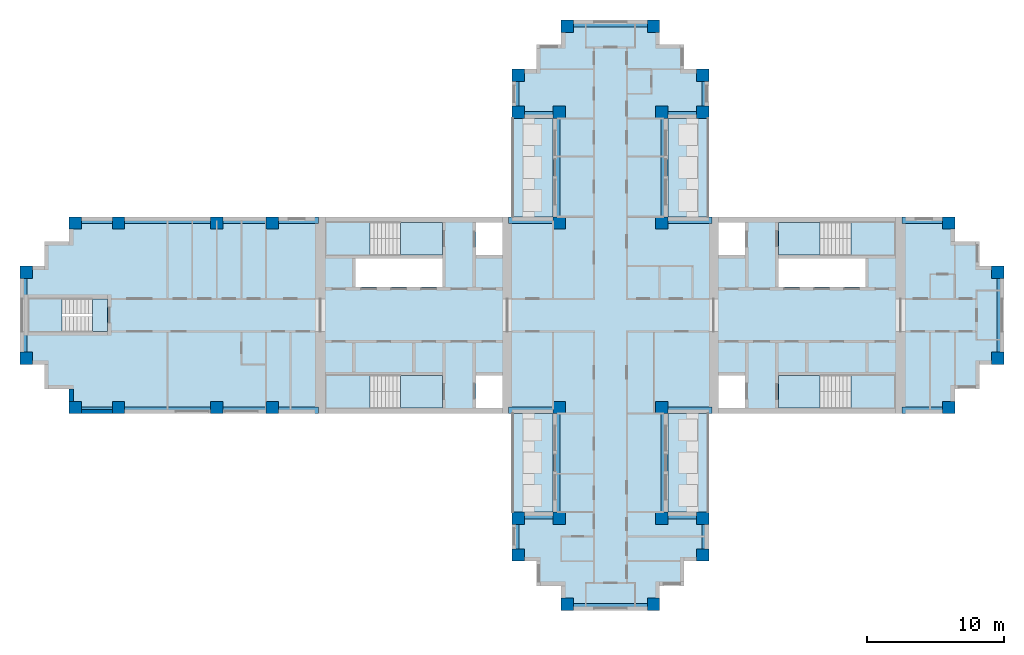
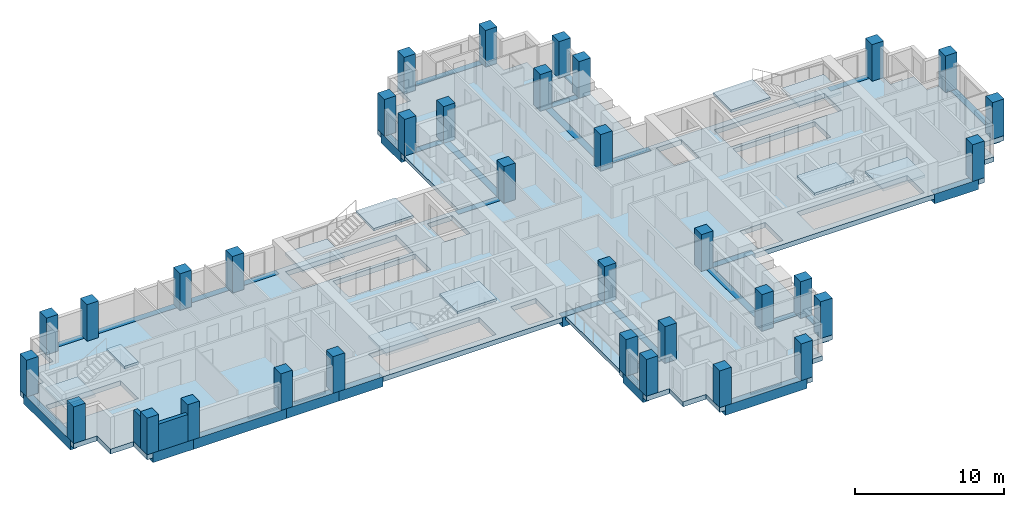
# One storey, part 1 of 10: 34 columns, 30 beams, 15 slabs, 2 walls, 5 elements without a shape of their own.
"""IFC4 building model written with IfcOpenShell, lengths in metres."""

from ifc_helpers import new_model, si_unit, direction, frame, frame_2d, origin, origin_2d, place, context, subcontext, project, spatial, polyline, rectangle, outline, extrude, material, layer, layer_set, material_profile, profile_set, type_object, element, aggregate, save


model = new_model("IFC4")

# Units and contexts
model_context = context("Model", 3, precision=1e-05, world=origin(), true_north=direction((0.0, 1.0)))
body_context = subcontext(model_context, "Body", "Model", "MODEL_VIEW")
ifc_project = project(units=[si_unit("LENGTHUNIT", "METRE"), si_unit("AREAUNIT", "SQUARE_METRE"), si_unit("VOLUMEUNIT", "CUBIC_METRE"), si_unit("PLANEANGLEUNIT", "RADIAN"), si_unit("MASSUNIT", "GRAM", prefix="KILO")], contexts=[model_context])

# Site, building, storey
site_placement = place(None, origin())
site = spatial("IfcSite", under=ifc_project, at=site_placement, CompositionType="ELEMENT")
building_placement = place(site_placement, origin())
building = spatial("IfcBuilding", under=site, at=building_placement, Name="Fustian Cross Tower", CompositionType="ELEMENT")
storey_placement = place(building_placement, frame((0.0, 0.0, 185.699951171875)))
storey = spatial("IfcBuildingStorey", under=building, at=storey_placement, Name="L58", CompositionType="ELEMENT", Elevation=185.699951171875)

# Columns
ifc_material_1 = material(Name="Concrete C40/50", Category="concrete")
ifc_material_profile_1 = material_profile(ifc_material_1, rectangle(XDim=0.89990234375, YDim=0.89990234375, at=origin_2d()), Name="RC 900x900")
ifc_profile_set_1 = profile_set([ifc_material_profile_1], Name="Concrete C40/50")
column_type = type_object("IfcColumnType", Name="COLUMN RC 900x900 C40/50", PredefinedType="COLUMN", material=ifc_profile_set_1)
for number, where, z_axis, x_axis, name in (
    (1, (-42.75, -3.14990234375, 0.0), (0.0, 0.0, 1.0), (1.0, 0.0, 0.0), "COLUMN 001"),
    (2, (-42.75, 3.14990234375, 0.0), (0.0, 0.0, 1.0), (1.0, 0.0, 0.0), "COLUMN 002"),
    (3, (-39.14990234375, -6.75, 0.0), (0.0, 0.0, 1.0), (1.0, 0.0, 0.0), "COLUMN 003"),
    (4, (-39.14990234375, 6.75, 0.0), (0.0, 0.0, 1.0), (1.0, 0.0, 0.0), "COLUMN 004"),
    (5, (-36.0, -6.75, 0.0), (0.0, 0.0, 1.0), (1.0, 0.0, 0.0), "COLUMN 005"),
    (6, (-36.0, 6.75, 0.0), (0.0, 0.0, 1.0), (1.0, 0.0, 0.0), "COLUMN 006"),
    (7, (-28.800048828125, -6.75, 0.0), (0.0, 0.0, 1.0), (1.0, 0.0, 0.0), "COLUMN 007"),
    (8, (-28.800048828125, 6.75, 0.0), (0.0, 0.0, 1.0), (1.0, 0.0, 0.0), "COLUMN 010"),
    (9, (-24.75, -6.75, 0.0), (0.0, 0.0, 1.0), (1.0, 0.0, 0.0), "COLUMN 011"),
    (10, (-24.75, 6.75, 0.0), (0.0, 0.0, 1.0), (1.0, 0.0, 0.0), "COLUMN 012"),
    (11, (-6.75, -17.550048828125, 0.0), (0.0, 0.0, 1.0), (1.0, 0.0, 0.0), "COLUMN 017"),
    (12, (-6.75, -14.85009765625, 0.0), (0.0, 0.0, 1.0), (1.0, 0.0, 0.0), "COLUMN 018"),
    (13, (-6.75, 14.85009765625, 0.0), (0.0, 0.0, 1.0), (1.0, 0.0, 0.0), "COLUMN 019"),
    (14, (-6.75, 17.550048828125, 0.0), (0.0, 0.0, 1.0), (1.0, 0.0, 0.0), "COLUMN 020"),
    (15, (-3.75, -14.85009765625, 0.0), (0.0, 0.0, 1.0), (1.0, 0.0, 0.0), "COLUMN 025"),
    (16, (-3.75, -6.75, 0.0), (0.0, 0.0, 1.0), (1.0, 0.0, 0.0), "COLUMN 026"),
    (17, (-3.75, 6.75, 0.0), (0.0, 0.0, 1.0), (1.0, 0.0, 0.0), "COLUMN 027"),
    (18, (-3.75, 14.85009765625, 0.0), (0.0, 0.0, 1.0), (1.0, 0.0, 0.0), "COLUMN 028"),
    (19, (-3.14990234375, -21.14990234375, 0.0), (0.0, 0.0, 1.0), (1.0, 0.0, 0.0), "COLUMN 030"),
    (20, (-3.14990234375, 21.14990234375, 0.0), (0.0, 0.0, 1.0), (1.0, 0.0, 0.0), "COLUMN 031"),
    (21, (3.14990234375, -21.14990234375, 0.0), (0.0, 0.0, 1.0), (1.0, 0.0, 0.0), "COLUMN 034"),
    (22, (3.14990234375, 21.14990234375, 0.0), (0.0, 0.0, 1.0), (1.0, 0.0, 0.0), "COLUMN 035"),
    (23, (3.75, -14.85009765625, 0.0), (0.0, 0.0, 1.0), (1.0, 0.0, 0.0), "COLUMN 037"),
    (24, (3.75, -6.75, 0.0), (0.0, 0.0, 1.0), (1.0, 0.0, 0.0), "COLUMN 038"),
    (25, (3.75, 6.75, 0.0), (0.0, 0.0, 1.0), (1.0, 0.0, 0.0), "COLUMN 039"),
    (26, (3.75, 14.85009765625, 0.0), (0.0, 0.0, 1.0), (1.0, 0.0, 0.0), "COLUMN 040"),
    (27, (6.75, -17.550048828125, 0.0), (0.0, 0.0, 1.0), (1.0, 0.0, 0.0), "COLUMN 045"),
    (28, (6.75, -14.85009765625, 0.0), (0.0, 0.0, 1.0), (1.0, 0.0, 0.0), "COLUMN 046"),
    (29, (6.75, 14.85009765625, 0.0), (0.0, 0.0, 1.0), (1.0, 0.0, 0.0), "COLUMN 047"),
    (30, (6.75, 17.550048828125, 0.0), (0.0, 0.0, 1.0), (1.0, 0.0, 0.0), "COLUMN 048"),
    (31, (24.75, -6.75, 0.0), (0.0, 0.0, 1.0), (1.0, 0.0, 0.0), "COLUMN 053"),
    (32, (24.75, 6.75, 0.0), (0.0, 0.0, 1.0), (1.0, 0.0, 0.0), "COLUMN 054"),
    (33, (28.35009765625, -3.14990234375, 0.0), (0.0, 0.0, 1.0), (1.0, 0.0, 0.0), "COLUMN 056"),
    (34, (28.35009765625, 3.14990234375, 0.0), (0.0, 0.0, 1.0), (1.0, 0.0, 0.0), "COLUMN 057"),
):
    element("IfcColumn", number, at=place(storey_placement, frame(where, z_axis=z_axis, x_axis=x_axis)), inside=storey, type_object=column_type, Name=name, PredefinedType="COLUMN", context=body_context, shape_type="SweptSolid", body=[
        extrude(rectangle(XDim=0.89990234375, YDim=0.89990234375, at=origin_2d()), origin(), (0.0, 0.0, 1.0), 3.0),
    ])

# Beams
ifc_material_2 = material(Name="Concrete C50/60", Category="concrete")
ifc_material_profile_2 = material_profile(ifc_material_2, rectangle(XDim=0.5, YDim=0.800048828125, at=origin_2d()), Name="RC 500x800")
ifc_profile_set_2 = profile_set([ifc_material_profile_2], Name="Concrete C50/60")
beam_type = type_object("IfcBeamType", Name="EDGE BEAM RC 500x800 C50/60", PredefinedType="SPANDREL", material=ifc_profile_set_2)
beam_1_placement = place(storey_placement, frame((21.35009765625, -6.949951171875, -0.39990234375), z_axis=(1.0, 0.0, 0.0), x_axis=(0.0, 1.0, 0.0)))
element("IfcBeam", 35, at=beam_1_placement, inside=storey, type_object=beam_type, Name="EDGE BEAM L58-01", PredefinedType="SPANDREL", context=body_context, shape_type="SweptSolid", body=[
    extrude(rectangle(XDim=0.5, YDim=0.800048828125, at=origin_2d()), origin(), (0.0, 0.0, 1.0), 3.39990234375),
])
beam_2_placement = place(storey_placement, frame((28.550048828125, -3.14990234375, -0.39990234375), z_axis=(0.0, 1.0, 0.0), x_axis=(-1.0, 0.0, 0.0)))
element("IfcBeam", 36, at=beam_2_placement, inside=storey, type_object=beam_type, Name="EDGE BEAM L58-02", PredefinedType="SPANDREL", context=body_context, shape_type="SweptSolid", body=[
    extrude(rectangle(XDim=0.5, YDim=0.800048828125, at=origin_2d()), origin(), (0.0, 0.0, 1.0), 6.2998046875),
])
beam_3_placement = place(storey_placement, frame((24.75, 6.949951171875, -0.39990234375), z_axis=(-1.0, 0.0, 0.0), x_axis=(0.0, -1.0, 0.0)))
element("IfcBeam", 37, at=beam_3_placement, inside=storey, type_object=beam_type, Name="EDGE BEAM L58-03", PredefinedType="SPANDREL", context=body_context, shape_type="SweptSolid", body=[
    extrude(rectangle(XDim=0.5, YDim=0.800048828125, at=origin_2d()), origin(), (0.0, 0.0, 1.0), 3.39990234375),
])
beam_4_placement = place(storey_placement, frame((7.449951171875, 6.949951171875, -0.39990234375), z_axis=(-1.0, 0.0, 0.0), x_axis=(0.0, -1.0, 0.0)))
element("IfcBeam", 38, at=beam_4_placement, inside=storey, type_object=beam_type, Name="EDGE BEAM L58-04", PredefinedType="SPANDREL", context=body_context, shape_type="SweptSolid", body=[
    extrude(rectangle(XDim=0.5, YDim=0.800048828125, at=origin_2d()), origin(), (0.0, 0.0, 1.0), 3.699951171875),
])
beam_5_placement = place(storey_placement, frame((3.949951171875, 6.75, -0.39990234375), z_axis=(0.0, 1.0, 0.0), x_axis=(-1.0, 0.0, 0.0)))
element("IfcBeam", 39, at=beam_5_placement, inside=storey, type_object=beam_type, Name="EDGE BEAM L58-05", PredefinedType="SPANDREL", context=body_context, shape_type="SweptSolid", body=[
    extrude(rectangle(XDim=0.5, YDim=0.800048828125, at=origin_2d()), origin(), (0.0, 0.0, 1.0), 8.10009765625),
])
beam_6_placement = place(storey_placement, frame((3.75, 14.64990234375, -0.39990234375), z_axis=(1.0, 0.0, 0.0), x_axis=(0.0, 1.0, 0.0)))
element("IfcBeam", 40, at=beam_6_placement, inside=storey, type_object=beam_type, Name="EDGE BEAM L58-06", PredefinedType="SPANDREL", context=body_context, shape_type="SweptSolid", body=[
    extrude(rectangle(XDim=0.5, YDim=0.800048828125, at=origin_2d()), origin(), (0.0, 0.0, 1.0), 3.0),
])
beam_7_placement = place(storey_placement, frame((6.949951171875, 14.85009765625, -0.39990234375), z_axis=(0.0, 1.0, 0.0), x_axis=(-1.0, 0.0, 0.0)))
element("IfcBeam", 41, at=beam_7_placement, inside=storey, type_object=beam_type, Name="EDGE BEAM L58-07", PredefinedType="SPANDREL", context=body_context, shape_type="SweptSolid", body=[
    extrude(rectangle(XDim=0.5, YDim=0.800048828125, at=origin_2d()), origin(), (0.0, 0.0, 1.0), 2.699951171875),
])
beam_8_placement = place(storey_placement, frame((3.14990234375, 21.35009765625, -0.39990234375), z_axis=(-1.0, 0.0, 0.0), x_axis=(0.0, -1.0, 0.0)))
element("IfcBeam", 42, at=beam_8_placement, inside=storey, type_object=beam_type, Name="EDGE BEAM L58-08", PredefinedType="SPANDREL", context=body_context, shape_type="SweptSolid", body=[
    extrude(rectangle(XDim=0.5, YDim=0.800048828125, at=origin_2d()), origin(), (0.0, 0.0, 1.0), 6.2998046875),
])
beam_9_placement = place(storey_placement, frame((-6.949951171875, 17.550048828125, -0.39990234375), z_axis=(0.0, -1.0, 0.0), x_axis=(1.0, 0.0, 0.0)))
element("IfcBeam", 43, at=beam_9_placement, inside=storey, type_object=beam_type, Name="EDGE BEAM L58-09", PredefinedType="SPANDREL", context=body_context, shape_type="SweptSolid", body=[
    extrude(rectangle(XDim=0.5, YDim=0.800048828125, at=origin_2d()), origin(), (0.0, 0.0, 1.0), 2.699951171875),
])
beam_10_placement = place(storey_placement, frame((-6.75, 14.64990234375, -0.39990234375), z_axis=(1.0, 0.0, 0.0), x_axis=(0.0, 1.0, 0.0)))
element("IfcBeam", 44, at=beam_10_placement, inside=storey, type_object=beam_type, Name="EDGE BEAM L58-10", PredefinedType="SPANDREL", context=body_context, shape_type="SweptSolid", body=[
    extrude(rectangle(XDim=0.5, YDim=0.800048828125, at=origin_2d()), origin(), (0.0, 0.0, 1.0), 3.0),
])
beam_11_placement = place(storey_placement, frame((-3.949951171875, 14.85009765625, -0.39990234375), z_axis=(0.0, -1.0, 0.0), x_axis=(1.0, 0.0, 0.0)))
element("IfcBeam", 45, at=beam_11_placement, inside=storey, type_object=beam_type, Name="EDGE BEAM L58-11", PredefinedType="SPANDREL", context=body_context, shape_type="SweptSolid", body=[
    extrude(rectangle(XDim=0.5, YDim=0.800048828125, at=origin_2d()), origin(), (0.0, 0.0, 1.0), 8.10009765625),
])
beam_12_placement = place(storey_placement, frame((-3.75, 6.949951171875, -0.39990234375), z_axis=(-1.0, 0.0, 0.0), x_axis=(0.0, -1.0, 0.0)))
element("IfcBeam", 46, at=beam_12_placement, inside=storey, type_object=beam_type, Name="EDGE BEAM L58-12", PredefinedType="SPANDREL", context=body_context, shape_type="SweptSolid", body=[
    extrude(rectangle(XDim=0.5, YDim=0.800048828125, at=origin_2d()), origin(), (0.0, 0.0, 1.0), 3.699951171875),
])
beam_13_placement = place(storey_placement, frame((-21.35009765625, 6.949951171875, -0.39990234375), z_axis=(-1.0, 0.0, 0.0), x_axis=(0.0, -1.0, 0.0)))
element("IfcBeam", 47, at=beam_13_placement, inside=storey, type_object=beam_type, Name="EDGE BEAM L58-13", PredefinedType="SPANDREL", context=body_context, shape_type="SweptSolid", body=[
    extrude(rectangle(XDim=0.5, YDim=0.800048828125, at=origin_2d()), origin(), (0.0, 0.0, 1.0), 3.39990234375),
])
beam_14_placement = place(storey_placement, frame((-24.75, 6.949951171875, -0.39990234375), z_axis=(-1.0, 0.0, 0.0), x_axis=(0.0, -1.0, 0.0)))
element("IfcBeam", 48, at=beam_14_placement, inside=storey, type_object=beam_type, Name="EDGE BEAM L58-14", PredefinedType="SPANDREL", context=body_context, shape_type="SweptSolid", body=[
    extrude(rectangle(XDim=0.5, YDim=0.800048828125, at=origin_2d()), origin(), (0.0, 0.0, 1.0), 4.050048828125),
])
beam_15_placement = place(storey_placement, frame((-28.800048828125, 6.949951171875, -0.39990234375), z_axis=(-1.0, 0.0, 0.0), x_axis=(0.0, -1.0, 0.0)))
element("IfcBeam", 49, at=beam_15_placement, inside=storey, type_object=beam_type, Name="EDGE BEAM L58-15", PredefinedType="SPANDREL", context=body_context, shape_type="SweptSolid", body=[
    extrude(rectangle(XDim=0.5, YDim=0.800048828125, at=origin_2d()), origin(), (0.0, 0.0, 1.0), 7.199951171875),
])
beam_16_placement = place(storey_placement, frame((-36.0, 6.949951171875, -0.39990234375), z_axis=(-1.0, 0.0, 0.0), x_axis=(0.0, -1.0, 0.0)))
element("IfcBeam", 50, at=beam_16_placement, inside=storey, type_object=beam_type, Name="EDGE BEAM L58-16", PredefinedType="SPANDREL", context=body_context, shape_type="SweptSolid", body=[
    extrude(rectangle(XDim=0.5, YDim=0.800048828125, at=origin_2d()), origin(), (0.0, 0.0, 1.0), 3.14990234375),
])
beam_17_placement = place(storey_placement, frame((-42.949951171875, 3.14990234375, -0.39990234375), z_axis=(0.0, -1.0, 0.0), x_axis=(1.0, 0.0, 0.0)))
element("IfcBeam", 51, at=beam_17_placement, inside=storey, type_object=beam_type, Name="EDGE BEAM L58-17", PredefinedType="SPANDREL", context=body_context, shape_type="SweptSolid", body=[
    extrude(rectangle(XDim=0.5, YDim=0.800048828125, at=origin_2d()), origin(), (0.0, 0.0, 1.0), 6.2998046875),
])
beam_18_placement = place(storey_placement, frame((-39.14990234375, -6.949951171875, -0.39990234375), z_axis=(1.0, 0.0, 0.0), x_axis=(0.0, 1.0, 0.0)))
element("IfcBeam", 52, at=beam_18_placement, inside=storey, type_object=beam_type, Name="EDGE BEAM L58-18", PredefinedType="SPANDREL", context=body_context, shape_type="SweptSolid", body=[
    extrude(rectangle(XDim=0.5, YDim=0.800048828125, at=origin_2d()), origin(), (0.0, 0.0, 1.0), 3.14990234375),
])
beam_19_placement = place(storey_placement, frame((-36.0, -6.949951171875, -0.39990234375), z_axis=(1.0, 0.0, 0.0), x_axis=(0.0, 1.0, 0.0)))
element("IfcBeam", 53, at=beam_19_placement, inside=storey, type_object=beam_type, Name="EDGE BEAM L58-19", PredefinedType="SPANDREL", context=body_context, shape_type="SweptSolid", body=[
    extrude(rectangle(XDim=0.5, YDim=0.800048828125, at=origin_2d()), origin(), (0.0, 0.0, 1.0), 7.199951171875),
])
beam_20_placement = place(storey_placement, frame((-28.800048828125, -6.949951171875, -0.39990234375), z_axis=(1.0, 0.0, 0.0), x_axis=(0.0, 1.0, 0.0)))
element("IfcBeam", 54, at=beam_20_placement, inside=storey, type_object=beam_type, Name="EDGE BEAM L58-20", PredefinedType="SPANDREL", context=body_context, shape_type="SweptSolid", body=[
    extrude(rectangle(XDim=0.5, YDim=0.800048828125, at=origin_2d()), origin(), (0.0, 0.0, 1.0), 4.050048828125),
])
beam_21_placement = place(storey_placement, frame((-24.75, -6.949951171875, -0.39990234375), z_axis=(1.0, 0.0, 0.0), x_axis=(0.0, 1.0, 0.0)))
element("IfcBeam", 55, at=beam_21_placement, inside=storey, type_object=beam_type, Name="EDGE BEAM L58-21", PredefinedType="SPANDREL", context=body_context, shape_type="SweptSolid", body=[
    extrude(rectangle(XDim=0.5, YDim=0.800048828125, at=origin_2d()), origin(), (0.0, 0.0, 1.0), 3.39990234375),
])
beam_22_placement = place(storey_placement, frame((-7.449951171875, -6.949951171875, -0.39990234375), z_axis=(1.0, 0.0, 0.0), x_axis=(0.0, 1.0, 0.0)))
element("IfcBeam", 56, at=beam_22_placement, inside=storey, type_object=beam_type, Name="EDGE BEAM L58-22", PredefinedType="SPANDREL", context=body_context, shape_type="SweptSolid", body=[
    extrude(rectangle(XDim=0.5, YDim=0.800048828125, at=origin_2d()), origin(), (0.0, 0.0, 1.0), 3.699951171875),
])
beam_23_placement = place(storey_placement, frame((-3.949951171875, -6.75, -0.39990234375), z_axis=(0.0, -1.0, 0.0), x_axis=(1.0, 0.0, 0.0)))
element("IfcBeam", 57, at=beam_23_placement, inside=storey, type_object=beam_type, Name="EDGE BEAM L58-23", PredefinedType="SPANDREL", context=body_context, shape_type="SweptSolid", body=[
    extrude(rectangle(XDim=0.5, YDim=0.800048828125, at=origin_2d()), origin(), (0.0, 0.0, 1.0), 8.10009765625),
])
beam_24_placement = place(storey_placement, frame((-3.75, -14.64990234375, -0.39990234375), z_axis=(-1.0, 0.0, 0.0), x_axis=(0.0, -1.0, 0.0)))
element("IfcBeam", 58, at=beam_24_placement, inside=storey, type_object=beam_type, Name="EDGE BEAM L58-24", PredefinedType="SPANDREL", context=body_context, shape_type="SweptSolid", body=[
    extrude(rectangle(XDim=0.5, YDim=0.800048828125, at=origin_2d()), origin(), (0.0, 0.0, 1.0), 3.0),
])
beam_25_placement = place(storey_placement, frame((-6.949951171875, -14.85009765625, -0.39990234375), z_axis=(0.0, -1.0, 0.0), x_axis=(1.0, 0.0, 0.0)))
element("IfcBeam", 59, at=beam_25_placement, inside=storey, type_object=beam_type, Name="EDGE BEAM L58-25", PredefinedType="SPANDREL", context=body_context, shape_type="SweptSolid", body=[
    extrude(rectangle(XDim=0.5, YDim=0.800048828125, at=origin_2d()), origin(), (0.0, 0.0, 1.0), 2.699951171875),
])
beam_26_placement = place(storey_placement, frame((-3.14990234375, -21.35009765625, -0.39990234375), z_axis=(1.0, 0.0, 0.0), x_axis=(0.0, 1.0, 0.0)))
element("IfcBeam", 60, at=beam_26_placement, inside=storey, type_object=beam_type, Name="EDGE BEAM L58-26", PredefinedType="SPANDREL", context=body_context, shape_type="SweptSolid", body=[
    extrude(rectangle(XDim=0.5, YDim=0.800048828125, at=origin_2d()), origin(), (0.0, 0.0, 1.0), 6.2998046875),
])
beam_27_placement = place(storey_placement, frame((6.949951171875, -17.550048828125, -0.39990234375), z_axis=(0.0, 1.0, 0.0), x_axis=(-1.0, 0.0, 0.0)))
element("IfcBeam", 61, at=beam_27_placement, inside=storey, type_object=beam_type, Name="EDGE BEAM L58-27", PredefinedType="SPANDREL", context=body_context, shape_type="SweptSolid", body=[
    extrude(rectangle(XDim=0.5, YDim=0.800048828125, at=origin_2d()), origin(), (0.0, 0.0, 1.0), 2.699951171875),
])
beam_28_placement = place(storey_placement, frame((6.75, -14.64990234375, -0.39990234375), z_axis=(-1.0, 0.0, 0.0), x_axis=(0.0, -1.0, 0.0)))
element("IfcBeam", 62, at=beam_28_placement, inside=storey, type_object=beam_type, Name="EDGE BEAM L58-28", PredefinedType="SPANDREL", context=body_context, shape_type="SweptSolid", body=[
    extrude(rectangle(XDim=0.5, YDim=0.800048828125, at=origin_2d()), origin(), (0.0, 0.0, 1.0), 3.0),
])
beam_29_placement = place(storey_placement, frame((3.949951171875, -14.85009765625, -0.39990234375), z_axis=(0.0, 1.0, 0.0), x_axis=(-1.0, 0.0, 0.0)))
element("IfcBeam", 63, at=beam_29_placement, inside=storey, type_object=beam_type, Name="EDGE BEAM L58-29", PredefinedType="SPANDREL", context=body_context, shape_type="SweptSolid", body=[
    extrude(rectangle(XDim=0.5, YDim=0.800048828125, at=origin_2d()), origin(), (0.0, 0.0, 1.0), 8.10009765625),
])
beam_30_placement = place(storey_placement, frame((3.75, -6.949951171875, -0.39990234375), z_axis=(1.0, 0.0, 0.0), x_axis=(0.0, 1.0, 0.0)))
element("IfcBeam", 64, at=beam_30_placement, inside=storey, type_object=beam_type, Name="EDGE BEAM L58-30", PredefinedType="SPANDREL", context=body_context, shape_type="SweptSolid", body=[
    extrude(rectangle(XDim=0.5, YDim=0.800048828125, at=origin_2d()), origin(), (0.0, 0.0, 1.0), 3.699951171875),
])

# Slabs
ifc_material_3 = material(Name="Concrete C40/50", Category="concrete")
ifc_layer_1 = layer(ifc_material_3, 0.300048828125)
ifc_layer_set_1 = layer_set([ifc_layer_1], Name="Concrete C40/50")
slab_type_1 = type_object("IfcSlabType", Name="BS1 BALCONY SLAB 300", PredefinedType="FLOOR", material=ifc_layer_set_1)
slab_1_placement = place(storey_placement, frame((0.0, 0.0, -0.300048828125)))
element("IfcSlab", 65, at=slab_1_placement, inside=storey, type_object=slab_type_1, Name="Balcony slab", PredefinedType="FLOOR", context=body_context, shape_type="SweptSolid", body=[
    extrude(outline(polyline([(4.199951171875, 7.199951171875), (7.199951171875, 7.199951171875), (7.199951171875, 14.39990234375), (4.199951171875, 14.39990234375), (4.199951171875, 7.199951171875)])), origin(), (0.0, 0.0, 1.0), 0.300048828125),
])
slab_2_placement = place(storey_placement, frame((0.0, 0.0, -0.300048828125)))
element("IfcSlab", 66, at=slab_2_placement, inside=storey, type_object=slab_type_1, Name="Balcony slab", PredefinedType="FLOOR", context=body_context, shape_type="SweptSolid", body=[
    extrude(outline(polyline([(-7.199951171875, 7.199951171875), (-4.199951171875, 7.199951171875), (-4.199951171875, 14.39990234375), (-7.199951171875, 14.39990234375), (-7.199951171875, 7.199951171875)])), origin(), (0.0, 0.0, 1.0), 0.300048828125),
])
slab_3_placement = place(storey_placement, frame((0.0, 0.0, -0.300048828125)))
element("IfcSlab", 67, at=slab_3_placement, inside=storey, type_object=slab_type_1, Name="Balcony slab", PredefinedType="FLOOR", context=body_context, shape_type="SweptSolid", body=[
    extrude(outline(polyline([(4.199951171875, -14.39990234375), (7.199951171875, -14.39990234375), (7.199951171875, -7.199951171875), (4.199951171875, -7.199951171875), (4.199951171875, -14.39990234375)])), origin(), (0.0, 0.0, 1.0), 0.300048828125),
])
slab_4_placement = place(storey_placement, frame((0.0, 0.0, -0.300048828125)))
element("IfcSlab", 68, at=slab_4_placement, inside=storey, type_object=slab_type_1, Name="Balcony slab", PredefinedType="FLOOR", context=body_context, shape_type="SweptSolid", body=[
    extrude(outline(polyline([(-7.199951171875, -14.39990234375), (-4.199951171875, -14.39990234375), (-4.199951171875, -7.199951171875), (-7.199951171875, -7.199951171875), (-7.199951171875, -14.39990234375)])), origin(), (0.0, 0.0, 1.0), 0.300048828125),
])
ifc_material_4 = material(Name="Concrete C40/50", Category="concrete")
ifc_layer_2 = layer(ifc_material_4, 0.39990234375)
ifc_layer_set_2 = layer_set([ifc_layer_2], Name="Concrete C40/50")
slab_type_2 = type_object("IfcSlabType", Name="FLAT SLAB 400", PredefinedType="FLOOR", material=ifc_layer_set_2)
slab_5_placement = place(storey_placement, frame((0.0, 0.0, -0.39990234375)))
element("IfcSlab", 69, at=slab_5_placement, inside=storey, type_object=slab_type_2, Name="FLOOR SLAB L58-1", PredefinedType="FLOOR", context=body_context, shape_type="SweptSolid", body=[
    extrude(outline(polyline([(-5.39990234375, -19.800048828125), (-5.39990234375, -18.0), (-7.199951171875, -18.0), (-7.199951171875, -14.39990234375), (-4.199951171875, -14.39990234375), (-4.199951171875, -7.199951171875), (-39.60009765625, -7.199951171875), (-39.60009765625, -5.39990234375), (-41.39990234375, -5.39990234375), (-41.39990234375, -3.60009765625), (-43.199951171875, -3.60009765625), (-43.199951171875, 3.60009765625), (-41.39990234375, 3.60009765625), (-41.39990234375, 5.39990234375), (-39.60009765625, 5.39990234375), (-39.60009765625, 7.199951171875), (-4.199951171875, 7.199951171875), (-4.199951171875, 14.39990234375), (-7.199951171875, 14.39990234375), (-7.199951171875, 18.0), (-5.39990234375, 18.0), (-5.39990234375, 19.800048828125), (-3.60009765625, 19.800048828125), (-3.60009765625, 21.60009765625), (3.60009765625, 21.60009765625), (3.60009765625, 19.800048828125), (5.39990234375, 19.800048828125), (5.39990234375, 18.0), (7.199951171875, 18.0), (7.199951171875, 14.39990234375), (4.199951171875, 14.39990234375), (4.199951171875, 7.199951171875), (25.199951171875, 7.199951171875), (25.199951171875, 5.39990234375), (27.0, 5.39990234375), (27.0, 3.60009765625), (28.800048828125, 3.60009765625), (28.800048828125, -3.60009765625), (27.0, -3.60009765625), (27.0, -5.39990234375), (25.199951171875, -5.39990234375), (25.199951171875, -7.199951171875), (4.199951171875, -7.199951171875), (4.199951171875, -14.39990234375), (7.199951171875, -14.39990234375), (7.199951171875, -18.0), (5.39990234375, -18.0), (5.39990234375, -19.800048828125), (3.60009765625, -19.800048828125), (3.60009765625, -21.60009765625), (-3.60009765625, -21.60009765625), (-3.60009765625, -19.800048828125), (-5.39990234375, -19.800048828125)]), holes=[polyline([(7.89990234375, 4.39990234375), (9.85009765625, 4.39990234375), (9.85009765625, 6.800048828125), (7.89990234375, 6.800048828125), (7.89990234375, 4.39990234375)]), polyline([(7.89990234375, -4.39990234375), (7.89990234375, -6.800048828125), (9.85009765625, -6.800048828125), (9.85009765625, -4.39990234375), (7.89990234375, -4.39990234375)]), polyline([(-7.89990234375, 6.800048828125), (-9.85009765625, 6.800048828125), (-9.85009765625, 4.39990234375), (-7.89990234375, 4.39990234375), (-7.89990234375, 6.800048828125)]), polyline([(-7.89990234375, -6.800048828125), (-7.89990234375, -4.39990234375), (-9.85009765625, -4.39990234375), (-9.85009765625, -6.800048828125), (-7.89990234375, -6.800048828125)]), polyline([(12.300048828125, 2.050048828125), (18.64990234375, 2.050048828125), (18.64990234375, 4.14990234375), (12.300048828125, 4.14990234375), (12.300048828125, 2.050048828125)]), polyline([(-18.64990234375, 4.14990234375), (-18.64990234375, 2.050048828125), (-12.300048828125, 2.050048828125), (-12.300048828125, 4.14990234375), (-18.64990234375, 4.14990234375)]), polyline([(20.85009765625, 6.699951171875), (12.300048828125, 6.699951171875), (12.300048828125, 4.39990234375), (20.85009765625, 4.39990234375), (20.85009765625, 6.699951171875)]), polyline([(20.85009765625, -6.699951171875), (20.85009765625, -4.39990234375), (12.300048828125, -4.39990234375), (12.300048828125, -6.699951171875), (20.85009765625, -6.699951171875)]), polyline([(-20.85009765625, 4.39990234375), (-12.300048828125, 4.39990234375), (-12.300048828125, 6.699951171875), (-20.85009765625, 6.699951171875), (-20.85009765625, 4.39990234375)]), polyline([(-20.85009765625, -4.39990234375), (-20.85009765625, -6.699951171875), (-12.300048828125, -6.699951171875), (-12.300048828125, -4.39990234375), (-20.85009765625, -4.39990234375)]), polyline([(-36.800048828125, 1.199951171875), (-42.60009765625, 1.199951171875), (-42.60009765625, -1.199951171875), (-36.800048828125, -1.199951171875), (-36.800048828125, 1.199951171875)])]), origin(), (0.0, 0.0, 1.0), 0.39990234375),
])

# Stair, slabs
ifc_material_5 = material(Name="Concrete C50/60", Category="concrete")
stair_type_1 = type_object("IfcStairType", Name="STAIR 1200 HALF TURN", PredefinedType="HALF_TURN_STAIR", material=ifc_material_5)
stair_1_placement = place(storey_placement, origin())
stair_1 = element("IfcStair", 70, at=stair_1_placement, inside=storey, type_object=stair_type_1, Name="Stair ST1", PredefinedType="HALF_TURN_STAIR")
ifc_material_6 = material(Name="Concrete C50/60", Category="concrete")
ifc_layer_3 = layer(ifc_material_6, 0.199951171875)
ifc_layer_set_3 = layer_set([ifc_layer_3], Name="Concrete C50/60")
slab_type_3 = type_object("IfcSlabType", Name="STAIR LANDING", PredefinedType="LANDING", material=ifc_layer_set_3)
slab_6_placement = place(storey_placement, frame((0.0, 0.0, 1.300048828125)))
slab_6 = element("IfcSlab", 71, at=slab_6_placement, type_object=slab_type_3, Name="ST1 landing 1", PredefinedType="LANDING", context=body_context, shape_type="SweptSolid", body=[
    extrude(outline(polyline([(17.590087890625, 4.39990234375), (20.85009765625, 4.39990234375), (20.85009765625, 6.800048828125), (17.590087890625, 6.800048828125), (17.590087890625, 4.39990234375)])), origin(), (0.0, 0.0, 1.0), 0.199951171875),
])
slab_7_placement = place(storey_placement, frame((0.0, 0.0, 2.800048828125)))
slab_7 = element("IfcSlab", 72, at=slab_7_placement, type_object=slab_type_3, Name="ST1 landing 2", PredefinedType="LANDING", context=body_context, shape_type="SweptSolid", body=[
    extrude(outline(polyline([(12.300048828125, 4.39990234375), (15.35009765625, 4.39990234375), (15.35009765625, 6.800048828125), (12.300048828125, 6.800048828125), (12.300048828125, 4.39990234375)])), origin(), (0.0, 0.0, 1.0), 0.199951171875),
])
aggregate(stair_1, [slab_6, slab_7])

stair_2_placement = place(storey_placement, origin())
stair_2 = element("IfcStair", 73, at=stair_2_placement, inside=storey, type_object=stair_type_1, Name="Stair ST2", PredefinedType="HALF_TURN_STAIR")
slab_8_placement = place(storey_placement, frame((0.0, 0.0, 1.300048828125)))
slab_8 = element("IfcSlab", 74, at=slab_8_placement, type_object=slab_type_3, Name="ST2 landing 1", PredefinedType="LANDING", context=body_context, shape_type="SweptSolid", body=[
    extrude(outline(polyline([(17.590087890625, -4.39990234375), (20.85009765625, -4.39990234375), (20.85009765625, -6.800048828125), (17.590087890625, -6.800048828125), (17.590087890625, -4.39990234375)])), origin(), (0.0, 0.0, 1.0), 0.199951171875),
])
slab_9_placement = place(storey_placement, frame((0.0, 0.0, 2.800048828125)))
slab_9 = element("IfcSlab", 75, at=slab_9_placement, type_object=slab_type_3, Name="ST2 landing 2", PredefinedType="LANDING", context=body_context, shape_type="SweptSolid", body=[
    extrude(outline(polyline([(12.300048828125, -4.39990234375), (15.35009765625, -4.39990234375), (15.35009765625, -6.800048828125), (12.300048828125, -6.800048828125), (12.300048828125, -4.39990234375)])), origin(), (0.0, 0.0, 1.0), 0.199951171875),
])
aggregate(stair_2, [slab_8, slab_9])

stair_3_placement = place(storey_placement, origin())
stair_3 = element("IfcStair", 76, at=stair_3_placement, inside=storey, type_object=stair_type_1, Name="Stair ST3", PredefinedType="HALF_TURN_STAIR")
slab_10_placement = place(storey_placement, frame((0.0, 0.0, 1.300048828125)))
slab_10 = element("IfcSlab", 77, at=slab_10_placement, type_object=slab_type_3, Name="ST3 landing 1", PredefinedType="LANDING", context=body_context, shape_type="SweptSolid", body=[
    extrude(outline(polyline([(-17.590087890625, 4.39990234375), (-20.85009765625, 4.39990234375), (-20.85009765625, 6.800048828125), (-17.590087890625, 6.800048828125), (-17.590087890625, 4.39990234375)])), origin(), (0.0, 0.0, 1.0), 0.199951171875),
])
slab_11_placement = place(storey_placement, frame((0.0, 0.0, 2.800048828125)))
slab_11 = element("IfcSlab", 78, at=slab_11_placement, type_object=slab_type_3, Name="ST3 landing 2", PredefinedType="LANDING", context=body_context, shape_type="SweptSolid", body=[
    extrude(outline(polyline([(-12.300048828125, 4.39990234375), (-15.35009765625, 4.39990234375), (-15.35009765625, 6.800048828125), (-12.300048828125, 6.800048828125), (-12.300048828125, 4.39990234375)])), origin(), (0.0, 0.0, 1.0), 0.199951171875),
])
aggregate(stair_3, [slab_10, slab_11])

stair_4_placement = place(storey_placement, origin())
stair_4 = element("IfcStair", 79, at=stair_4_placement, inside=storey, type_object=stair_type_1, Name="Stair ST4", PredefinedType="HALF_TURN_STAIR")
slab_12_placement = place(storey_placement, frame((0.0, 0.0, 1.300048828125)))
slab_12 = element("IfcSlab", 80, at=slab_12_placement, type_object=slab_type_3, Name="ST4 landing 1", PredefinedType="LANDING", context=body_context, shape_type="SweptSolid", body=[
    extrude(outline(polyline([(-17.590087890625, -4.39990234375), (-20.85009765625, -4.39990234375), (-20.85009765625, -6.800048828125), (-17.590087890625, -6.800048828125), (-17.590087890625, -4.39990234375)])), origin(), (0.0, 0.0, 1.0), 0.199951171875),
])
slab_13_placement = place(storey_placement, frame((0.0, 0.0, 2.800048828125)))
slab_13 = element("IfcSlab", 81, at=slab_13_placement, type_object=slab_type_3, Name="ST4 landing 2", PredefinedType="LANDING", context=body_context, shape_type="SweptSolid", body=[
    extrude(outline(polyline([(-12.300048828125, -4.39990234375), (-15.35009765625, -4.39990234375), (-15.35009765625, -6.800048828125), (-12.300048828125, -6.800048828125), (-12.300048828125, -4.39990234375)])), origin(), (0.0, 0.0, 1.0), 0.199951171875),
])
aggregate(stair_4, [slab_12, slab_13])

ifc_material_7 = material(Name="Concrete C50/60", Category="concrete")
stair_type_2 = type_object("IfcStairType", Name="STAIR 1100 HALF TURN", PredefinedType="HALF_TURN_STAIR", material=ifc_material_7)
stair_5_placement = place(storey_placement, origin())
stair_5 = element("IfcStair", 82, at=stair_5_placement, inside=storey, type_object=stair_type_2, Name="Stair ST9", PredefinedType="HALF_TURN_STAIR")
slab_14_placement = place(storey_placement, frame((0.0, 0.0, 1.300048828125)))
slab_14 = element("IfcSlab", 83, at=slab_14_placement, type_object=slab_type_3, Name="ST9 landing 1", PredefinedType="LANDING", context=body_context, shape_type="SweptSolid", body=[
    extrude(outline(polyline([(-40.139892578125, -1.199951171875), (-42.60009765625, -1.199951171875), (-42.60009765625, 1.199951171875), (-40.139892578125, 1.199951171875), (-40.139892578125, -1.199951171875)])), origin(), (0.0, 0.0, 1.0), 0.199951171875),
])
slab_15_placement = place(storey_placement, frame((0.0, 0.0, 2.800048828125)))
slab_15 = element("IfcSlab", 84, at=slab_15_placement, type_object=slab_type_3, Name="ST9 landing 2", PredefinedType="LANDING", context=body_context, shape_type="SweptSolid", body=[
    extrude(outline(polyline([(-36.800048828125, -1.199951171875), (-37.89990234375, -1.199951171875), (-37.89990234375, 1.199951171875), (-36.800048828125, 1.199951171875), (-36.800048828125, -1.199951171875)])), origin(), (0.0, 0.0, 1.0), 0.199951171875),
])
aggregate(stair_5, [slab_14, slab_15])

# Walls
ifc_material_8 = material(Name="Dark aluminium cladding on insulated backing wall", Category="aluminium")
ifc_layer_4 = layer(ifc_material_8, 0.300048828125)
ifc_layer_set_4 = layer_set([ifc_layer_4], Name="Dark aluminium cladding on insulated backing wall")
wall_type = type_object("IfcWallType", Name="XW1 EXTERNAL WALL 300", PredefinedType="SOLIDWALL", material=ifc_layer_set_4)
wall_1_placement = place(storey_placement, frame((-39.449951171875, -5.39990234375, 0.0), z_axis=(0.0, 0.0, 1.0), x_axis=(0.0, -1.0, 0.0)))
element("IfcWall", 85, at=wall_1_placement, inside=storey, type_object=wall_type, Name="External wall", PredefinedType="SOLIDWALL", context=body_context, shape_type="SweptSolid", body=[
    extrude(rectangle(XDim=0.900146484375, YDim=0.300048828125, at=frame_2d((0.4501953125, 0.0))), origin(), (0.0, 0.0, 1.0), 2.60009765625),
])
wall_2_placement = place(storey_placement, frame((-38.699951171875, -7.050048828125, 0.0), z_axis=(0.0, 0.0, 1.0), x_axis=(1.0, 0.0, 0.0)))
element("IfcWall", 86, at=wall_2_placement, inside=storey, type_object=wall_type, Name="External wall", PredefinedType="SOLIDWALL", context=body_context, shape_type="SweptSolid", body=[
    extrude(rectangle(XDim=2.25, YDim=0.300048828125, at=frame_2d((1.125, 0.0))), origin(), (0.0, 0.0, 1.0), 2.199951171875),
])

save(model, "model.ifc")
